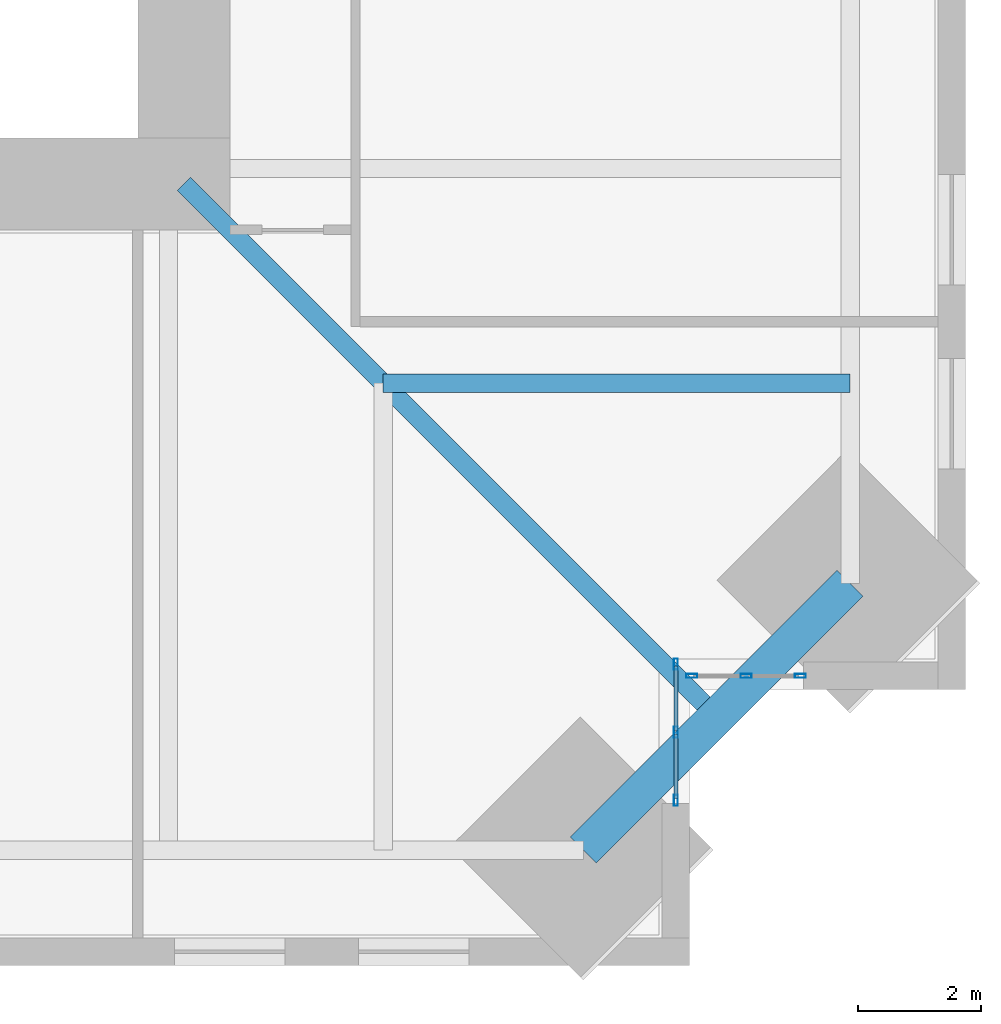
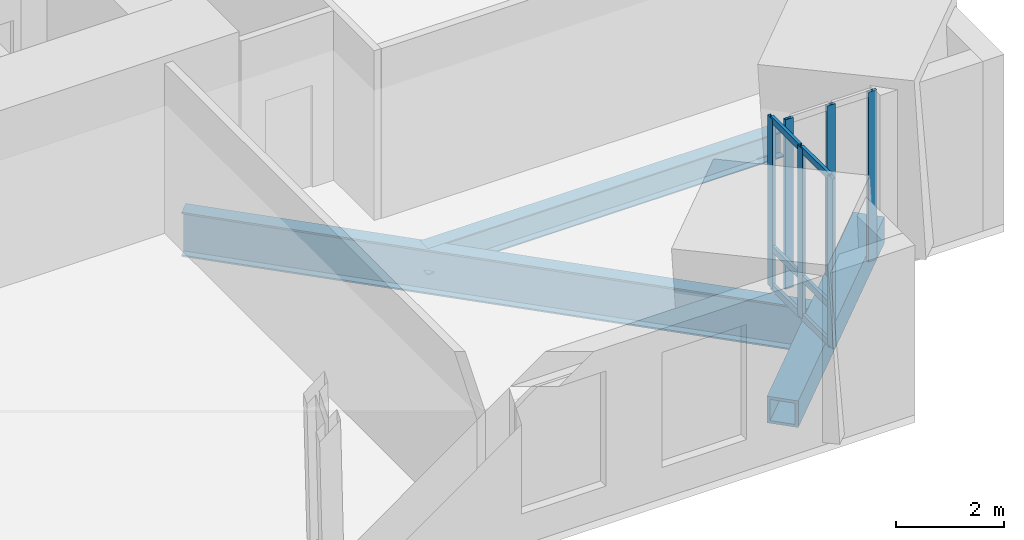
# One storey, part 4 of 15: 12 members, 3 beams, 2 elements without a shape of their own.
"""IFC4 building model written with IfcOpenShell, lengths in metres."""

from ifc_helpers import new_model, si_unit, direction, frame, origin, origin_2d, place, context, subcontext, project, spatial, hollow_rectangle, i_section, extrude, material, material_profile, profile_set, type_object, element, aggregate, save


model = new_model("IFC4")

# Units and contexts
model_context = context("Model", 3, precision=1e-05, world=origin(), true_north=direction((0.0, 1.0)))
body_context = subcontext(model_context, "Body", "Model", "MODEL_VIEW")
ifc_project = project(units=[si_unit("LENGTHUNIT", "METRE"), si_unit("AREAUNIT", "SQUARE_METRE"), si_unit("VOLUMEUNIT", "CUBIC_METRE"), si_unit("PLANEANGLEUNIT", "RADIAN"), si_unit("MASSUNIT", "GRAM", prefix="KILO")], contexts=[model_context])

# Site, building, storey
site_placement = place(None, origin())
site = spatial("IfcSite", under=ifc_project, at=site_placement, CompositionType="ELEMENT")
building_placement = place(site_placement, origin())
building = spatial("IfcBuilding", under=site, at=building_placement, Name="Peilmerk Tower", CompositionType="ELEMENT")
storey_placement = place(building_placement, frame((0.0, 0.0, 217.800048828125)))
storey = spatial("IfcBuildingStorey", under=building, at=storey_placement, Name="L47", CompositionType="ELEMENT", Elevation=217.800048828125)

# Beams
ifc_material_1 = material(Name="Steel S460", Category="steel")
ifc_material_profile_1 = material_profile(ifc_material_1, hollow_rectangle(XDim=0.60009765625, YDim=0.60009765625, WallThickness=0.06005859375, at=origin_2d()), Name="BOX 600x600x60")
ifc_profile_set_1 = profile_set([ifc_material_profile_1], Name="Steel S460")
beam_type_1 = type_object("IfcBeamType", Name="B20 BOX 600x600x60 notch beam", PredefinedType="SPANDREL", material=ifc_profile_set_1)
beam_1_placement = place(storey_placement, frame((22.114501953125, -17.764404296875, -0.469970703125), z_axis=(-0.707106781187, -0.707106781187, 0.0), x_axis=(0.707106781187, -0.707106781187, 0.0)))
element("IfcBeam", 1, at=beam_1_placement, inside=storey, type_object=beam_type_1, Name="Notch beam L47", PredefinedType="SPANDREL", context=body_context, shape_type="SweptSolid", body=[
    extrude(hollow_rectangle(XDim=0.60009765625, YDim=0.60009765625, WallThickness=0.06005859375, at=origin_2d()), origin(), (0.0, 0.0, 1.0), 6.15185546875),
])
ifc_material_2 = material(Name="Steel S355", Category="steel")
ifc_material_profile_2 = material_profile(ifc_material_2, i_section(OverallWidth=0.300048828125, OverallDepth=0.590087890625, WebThickness=0.012939453125, FlangeThickness=0.02490234375, at=origin_2d()), Name="HEA 600")
ifc_profile_set_2 = profile_set([ifc_material_profile_2], Name="Steel S355")
beam_type_2 = type_object("IfcBeamType", Name="B27 HEA 600 floor beam", PredefinedType="BEAM", material=ifc_profile_set_2)
beam_2_placement = place(storey_placement, frame((14.5, -14.5, -0.465087890625), z_axis=(1.0, 0.0, 0.0), x_axis=(0.0, 1.0, 0.0)))
element("IfcBeam", 2, at=beam_2_placement, inside=storey, type_object=beam_type_2, Name="Floor beam L47", PredefinedType="BEAM", context=body_context, shape_type="SweptSolid", body=[
    extrude(i_section(OverallWidth=0.300048828125, OverallDepth=0.590087890625, WebThickness=0.012939453125, FlangeThickness=0.02490234375, at=origin_2d()), origin(), (0.0, 0.0, 1.0), 7.614501953125),
])
ifc_material_profile_3 = material_profile(ifc_material_2, i_section(OverallWidth=0.300048828125, OverallDepth=1.0, WebThickness=0.01904296875, FlangeThickness=0.035888671875, at=origin_2d()), Name="HEB 1000")
ifc_profile_set_3 = profile_set([ifc_material_profile_3], Name="Steel S355")
beam_type_3 = type_object("IfcBeamType", Name="B5 HEB 1000 floor girder", PredefinedType="BEAM", material=ifc_profile_set_3)
beam_3_placement = place(storey_placement, frame((11.25, -11.25, -0.670166015625), z_axis=(0.707106781187, -0.707106781187, 0.0), x_axis=(0.707106781187, 0.707106781187, 0.0)))
element("IfcBeam", 3, at=beam_3_placement, inside=storey, type_object=beam_type_3, Name="Corner girder L47", PredefinedType="BEAM", context=body_context, shape_type="SweptSolid", body=[
    extrude(i_section(OverallWidth=0.300048828125, OverallDepth=1.0, WebThickness=0.01904296875, FlangeThickness=0.035888671875, at=origin_2d()), origin(), (0.0, 0.0, 1.0), 12.288818359375),
])

# Curtain wall, members
ifc_material_3 = material(Name="Aluminium stick curtain wall", Category="aluminium")
curtain_wall_type = type_object("IfcCurtainWallType", Name="CW4 stick curtain wall, 2250 module", PredefinedType="NOTDEFINED", material=ifc_material_3)
curtain_wall_1_placement = place(storey_placement, origin())
curtain_wall_1 = element("IfcCurtainWall", 4, at=curtain_wall_1_placement, inside=storey, type_object=curtain_wall_type, Name="Curtain wall CW4 SEA L47", PredefinedType="NOTDEFINED")
ifc_material_4 = material(Name="Aluminium EN AW-6063 T6", Category="aluminium")
ifc_material_profile_4 = material_profile(ifc_material_4, hollow_rectangle(XDim=0.06494140625, YDim=0.179931640625, WallThickness=0.0029296875, at=origin_2d()), Name="AL 180x65x3")
ifc_profile_set_4 = profile_set([ifc_material_profile_4], Name="Aluminium EN AW-6063 T6")
member_type_1 = type_object("IfcMemberType", Name="CW4-M AL 180x65x3 mullion", PredefinedType="MULLION", material=ifc_profile_set_4)
member_1_placement = place(storey_placement, frame((19.27490234375, -19.08251953125, 0.0), z_axis=(0.0, 0.0, 1.0), x_axis=(1.0, 0.0, 0.0)))
member_1 = element("IfcMember", 5, at=member_1_placement, type_object=member_type_1, Name="CW4 mullion 1", PredefinedType="MULLION", context=body_context, shape_type="SweptSolid", body=[
    extrude(hollow_rectangle(XDim=0.06494140625, YDim=0.179931640625, WallThickness=0.0029296875, at=origin_2d()), origin(), (0.0, 0.0, 1.0), 3.829833984375),
])
member_2_placement = place(storey_placement, frame((19.27490234375, -20.1943359375, 0.0), z_axis=(0.0, 0.0, 1.0), x_axis=(1.0, 0.0, 0.0)))
member_2 = element("IfcMember", 6, at=member_2_placement, type_object=member_type_1, Name="CW4 mullion 2", PredefinedType="MULLION", context=body_context, shape_type="SweptSolid", body=[
    extrude(hollow_rectangle(XDim=0.06494140625, YDim=0.179931640625, WallThickness=0.0029296875, at=origin_2d()), origin(), (0.0, 0.0, 1.0), 3.829833984375),
])
member_3_placement = place(storey_placement, frame((19.27490234375, -21.30615234375, 0.0), z_axis=(0.0, 0.0, 1.0), x_axis=(1.0, 0.0, 0.0)))
member_3 = element("IfcMember", 7, at=member_3_placement, type_object=member_type_1, Name="CW4 mullion 3", PredefinedType="MULLION", context=body_context, shape_type="SweptSolid", body=[
    extrude(hollow_rectangle(XDim=0.06494140625, YDim=0.179931640625, WallThickness=0.0029296875, at=origin_2d()), origin(), (0.0, 0.0, 1.0), 3.829833984375),
])

curtain_wall_2_placement = place(storey_placement, origin())
curtain_wall_2 = element("IfcCurtainWall", 8, at=curtain_wall_2_placement, inside=storey, type_object=curtain_wall_type, Name="Curtain wall CW4 SEB L47", PredefinedType="NOTDEFINED")
member_4_placement = place(storey_placement, frame((19.532470703125, -19.27490234375, 0.0), z_axis=(0.0, 0.0, 1.0), x_axis=(0.0, 1.0, 0.0)))
member_4 = element("IfcMember", 9, at=member_4_placement, type_object=member_type_1, Name="CW4 mullion 1", PredefinedType="MULLION", context=body_context, shape_type="SweptSolid", body=[
    extrude(hollow_rectangle(XDim=0.06494140625, YDim=0.179931640625, WallThickness=0.0029296875, at=origin_2d()), origin(), (0.0, 0.0, 1.0), 3.829833984375),
])
member_5_placement = place(storey_placement, frame((20.41943359375, -19.27490234375, 0.0), z_axis=(0.0, 0.0, 1.0), x_axis=(0.0, 1.0, 0.0)))
member_5 = element("IfcMember", 10, at=member_5_placement, type_object=member_type_1, Name="CW4 mullion 2", PredefinedType="MULLION", context=body_context, shape_type="SweptSolid", body=[
    extrude(hollow_rectangle(XDim=0.06494140625, YDim=0.179931640625, WallThickness=0.0029296875, at=origin_2d()), origin(), (0.0, 0.0, 1.0), 3.829833984375),
])
member_6_placement = place(storey_placement, frame((21.30615234375, -19.27490234375, 0.0), z_axis=(0.0, 0.0, 1.0), x_axis=(0.0, 1.0, 0.0)))
member_6 = element("IfcMember", 11, at=member_6_placement, type_object=member_type_1, Name="CW4 mullion 3", PredefinedType="MULLION", context=body_context, shape_type="SweptSolid", body=[
    extrude(hollow_rectangle(XDim=0.06494140625, YDim=0.179931640625, WallThickness=0.0029296875, at=origin_2d()), origin(), (0.0, 0.0, 1.0), 3.829833984375),
])
aggregate(curtain_wall_2, [member_4, member_5, member_6])

# Member
ifc_material_profile_5 = material_profile(ifc_material_4, hollow_rectangle(XDim=0.06494140625, YDim=0.14990234375, WallThickness=0.0029296875, at=origin_2d()), Name="AL 150x65x3")
ifc_profile_set_5 = profile_set([ifc_material_profile_5], Name="Aluminium EN AW-6063 T6")
member_type_2 = type_object("IfcMemberType", Name="CW4-T AL 150x65x3 transom", PredefinedType="USERDEFINED", material=ifc_profile_set_5)
member_7_placement = place(storey_placement, frame((19.27490234375, -19.114990234375, 0.032470703125), z_axis=(0.0, -1.0, 0.0), x_axis=(1.0, 0.0, 0.0)))
member_7 = element("IfcMember", 12, at=member_7_placement, type_object=member_type_2, Name="CW4 transom 1.1", ObjectType="TRANSOM", PredefinedType="USERDEFINED", context=body_context, shape_type="SweptSolid", body=[
    extrude(hollow_rectangle(XDim=0.06494140625, YDim=0.14990234375, WallThickness=0.0029296875, at=origin_2d()), origin(), (0.0, 0.0, 1.0), 1.046875),
])

member_8_placement = place(storey_placement, frame((19.27490234375, -19.114990234375, 0.89990234375), z_axis=(0.0, -1.0, 0.0), x_axis=(1.0, 0.0, 0.0)))
member_8 = element("IfcMember", 13, at=member_8_placement, type_object=member_type_2, Name="CW4 transom 1.2", ObjectType="TRANSOM", PredefinedType="USERDEFINED", context=body_context, shape_type="SweptSolid", body=[
    extrude(hollow_rectangle(XDim=0.06494140625, YDim=0.14990234375, WallThickness=0.0029296875, at=origin_2d()), origin(), (0.0, 0.0, 1.0), 1.046875),
])

member_9_placement = place(storey_placement, frame((19.27490234375, -19.114990234375, 3.79736328125), z_axis=(0.0, -1.0, 0.0), x_axis=(1.0, 0.0, 0.0)))
member_9 = element("IfcMember", 14, at=member_9_placement, type_object=member_type_2, Name="CW4 transom 1.3", ObjectType="TRANSOM", PredefinedType="USERDEFINED", context=body_context, shape_type="SweptSolid", body=[
    extrude(hollow_rectangle(XDim=0.06494140625, YDim=0.14990234375, WallThickness=0.0029296875, at=origin_2d()), origin(), (0.0, 0.0, 1.0), 1.046875),
])

member_10_placement = place(storey_placement, frame((19.27490234375, -20.226806640625, 0.032470703125), z_axis=(0.0, -1.0, 0.0), x_axis=(1.0, 0.0, 0.0)))
member_10 = element("IfcMember", 15, at=member_10_placement, type_object=member_type_2, Name="CW4 transom 2.1", ObjectType="TRANSOM", PredefinedType="USERDEFINED", context=body_context, shape_type="SweptSolid", body=[
    extrude(hollow_rectangle(XDim=0.06494140625, YDim=0.14990234375, WallThickness=0.0029296875, at=origin_2d()), origin(), (0.0, 0.0, 1.0), 1.046875),
])

member_11_placement = place(storey_placement, frame((19.27490234375, -20.226806640625, 0.89990234375), z_axis=(0.0, -1.0, 0.0), x_axis=(1.0, 0.0, 0.0)))
member_11 = element("IfcMember", 16, at=member_11_placement, type_object=member_type_2, Name="CW4 transom 2.2", ObjectType="TRANSOM", PredefinedType="USERDEFINED", context=body_context, shape_type="SweptSolid", body=[
    extrude(hollow_rectangle(XDim=0.06494140625, YDim=0.14990234375, WallThickness=0.0029296875, at=origin_2d()), origin(), (0.0, 0.0, 1.0), 1.046875),
])

member_12_placement = place(storey_placement, frame((19.27490234375, -20.226806640625, 3.79736328125), z_axis=(0.0, -1.0, 0.0), x_axis=(1.0, 0.0, 0.0)))
member_12 = element("IfcMember", 17, at=member_12_placement, type_object=member_type_2, Name="CW4 transom 2.3", ObjectType="TRANSOM", PredefinedType="USERDEFINED", context=body_context, shape_type="SweptSolid", body=[
    extrude(hollow_rectangle(XDim=0.06494140625, YDim=0.14990234375, WallThickness=0.0029296875, at=origin_2d()), origin(), (0.0, 0.0, 1.0), 1.046875),
])

aggregate(curtain_wall_1, [member_1, member_2, member_3, member_7, member_8, member_9, member_10, member_11, member_12])

save(model, "model.ifc")
